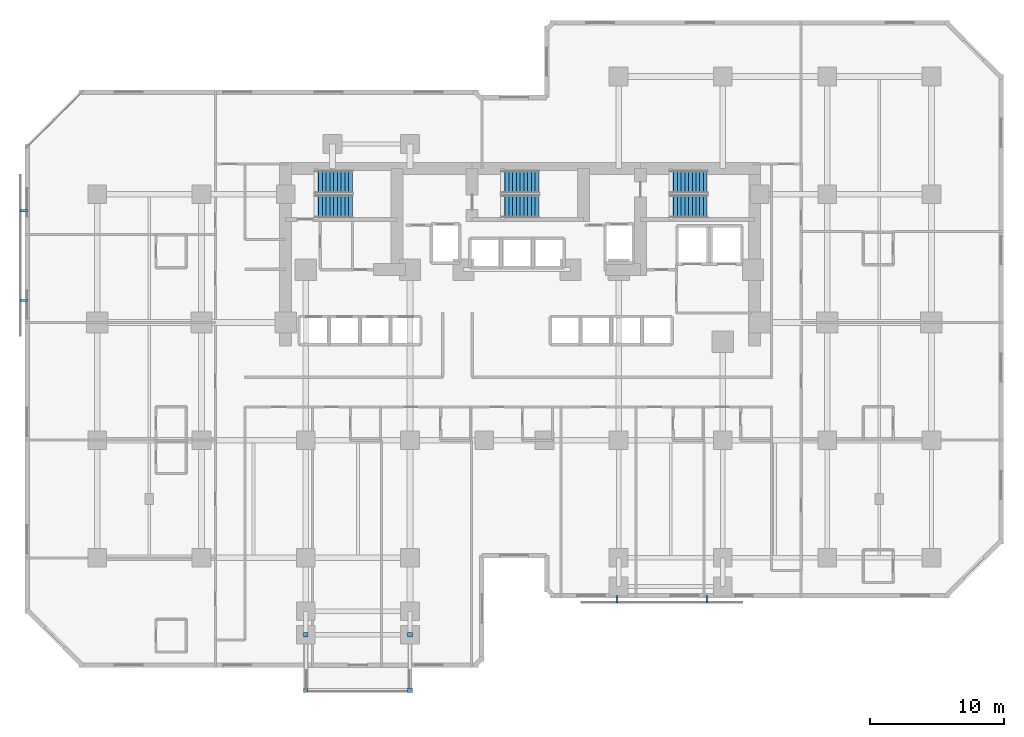
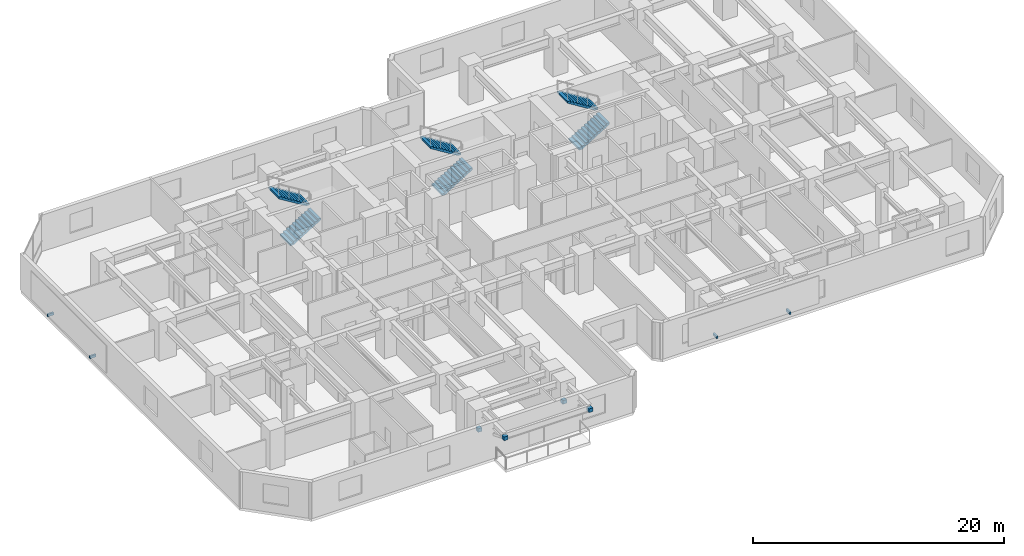
# One storey, part 10 of 12: 8 discrete accessories, 6 stair flights, 3 elements without a shape of their own.
"""IFC4 building model written with IfcOpenShell, lengths in metres."""

from ifc_helpers import new_model, si_unit, direction, frame, origin, origin_2d, place, context, subcontext, project, spatial, polyline, rectangle, outline, extrude, material, type_object, element, aggregate, save


model = new_model("IFC4")

# Units and contexts
model_context = context("Model", 3, precision=1e-05, world=origin(), true_north=direction((0.0, 1.0)))
body_context = subcontext(model_context, "Body", "Model", "MODEL_VIEW")
ifc_project = project(units=[si_unit("LENGTHUNIT", "METRE"), si_unit("AREAUNIT", "SQUARE_METRE"), si_unit("VOLUMEUNIT", "CUBIC_METRE"), si_unit("PLANEANGLEUNIT", "RADIAN"), si_unit("MASSUNIT", "GRAM", prefix="KILO")], contexts=[model_context])

# Site, building, storey
site_placement = place(None, origin())
site = spatial("IfcSite", under=ifc_project, at=site_placement, CompositionType="ELEMENT")
building_placement = place(site_placement, origin())
building = spatial("IfcBuilding", under=site, at=building_placement, Name="Kestravale Grand Hotel", CompositionType="ELEMENT")
storey_placement = place(building_placement, frame((0.0, 0.0, 33.60009765625)))
storey = spatial("IfcBuildingStorey", under=building, at=storey_placement, Name="L07", CompositionType="ELEMENT", Elevation=33.60009765625)

# Stair, stair flights
ifc_material_1 = material(Name="Concrete f'c 45 MPa", Category="concrete")
stair_type = type_object("IfcStairType", Name="ST-CORE-380", PredefinedType="HALF_TURN_STAIR", material=ifc_material_1)
stair_1_placement = place(storey_placement, origin())
stair_1 = element("IfcStair", 1, at=stair_1_placement, inside=storey, type_object=stair_type, Name="L07 ST-1", PredefinedType="HALF_TURN_STAIR")
ifc_material_2 = material(Name="Concrete f'c 45 MPa", Category="concrete")
stair_flight_type = type_object("IfcStairFlightType", Name="STF-CORE-380", PredefinedType="STRAIGHT", material=ifc_material_2)
stair_flight_1_placement = place(storey_placement, frame((24.080078125, 37.489990234375, 0.0), z_axis=(0.0, 0.0, 1.0), x_axis=(1.0, 0.0, 0.0)))
stair_flight_1 = element("IfcStairFlight", 2, at=stair_flight_1_placement, type_object=stair_flight_type, Name="ST-1 flight 1", NumberOfRisers=11, NumberOfTreads=10, PredefinedType="STRAIGHT", RiserHeight=0.172727273, TreadLength=0.28, context=body_context, shape_type="SweptSolid", body=[
    extrude(outline(polyline([(0.0, 0.0), (0.0, 0.172607421875), (0.280029296875, 0.172607421875), (0.280029296875, 0.345458984375), (0.56005859375, 0.345458984375), (0.56005859375, 0.51806640625), (0.840087890625, 0.51806640625), (0.840087890625, 0.69091796875), (1.1201171875, 0.69091796875), (1.1201171875, 0.863525390625), (1.39990234375, 0.863525390625), (1.39990234375, 1.036376953125), (1.679931640625, 1.036376953125), (1.679931640625, 1.208984375), (1.9599609375, 1.208984375), (1.9599609375, 1.3818359375), (2.239990234375, 1.3818359375), (2.239990234375, 1.554443359375), (2.52001953125, 1.554443359375), (2.52001953125, 1.727294921875), (2.800048828125, 1.727294921875), (2.800048828125, 1.89990234375), (2.800048828125, 1.551025390625), (0.285400390625, 0.0), (0.0, 0.0)])), frame((0.0, 0.83984375, 0.0), z_axis=(0.0, -1.0, 0.0), x_axis=(1.0, 0.0, 0.0)), (0.0, 0.0, 1.0), 1.679931640625),
])
stair_flight_2_placement = place(storey_placement, frame((26.8798828125, 39.320068359375, 1.89990234375), z_axis=(0.0, 0.0, 1.0), x_axis=(-1.0, 0.0, 0.0)))
stair_flight_2 = element("IfcStairFlight", 3, at=stair_flight_2_placement, type_object=stair_flight_type, Name="ST-1 flight 2", NumberOfRisers=11, NumberOfTreads=10, PredefinedType="STRAIGHT", RiserHeight=0.172727273, TreadLength=0.28, context=body_context, shape_type="SweptSolid", body=[
    extrude(outline(polyline([(0.0, 0.0), (0.0, 0.172607421875), (0.280029296875, 0.172607421875), (0.280029296875, 0.345458984375), (0.56005859375, 0.345458984375), (0.56005859375, 0.51806640625), (0.840087890625, 0.51806640625), (0.840087890625, 0.69091796875), (1.1201171875, 0.69091796875), (1.1201171875, 0.863525390625), (1.39990234375, 0.863525390625), (1.39990234375, 1.036376953125), (1.679931640625, 1.036376953125), (1.679931640625, 1.208984375), (1.9599609375, 1.208984375), (1.9599609375, 1.3818359375), (2.239990234375, 1.3818359375), (2.239990234375, 1.554443359375), (2.52001953125, 1.554443359375), (2.52001953125, 1.727294921875), (2.800048828125, 1.727294921875), (2.800048828125, 1.89990234375), (2.800048828125, 1.551025390625), (0.285400390625, 0.0), (0.0, 0.0)])), frame((0.0, 0.83984375, 0.0), z_axis=(0.0, -1.0, 0.0), x_axis=(1.0, 0.0, 0.0)), (0.0, 0.0, 1.0), 1.679931640625),
])
aggregate(stair_1, [stair_flight_1, stair_flight_2])

stair_2_placement = place(storey_placement, origin())
stair_2 = element("IfcStair", 4, at=stair_2_placement, inside=storey, type_object=stair_type, Name="L07 ST-2", PredefinedType="HALF_TURN_STAIR")
stair_flight_3_placement = place(storey_placement, frame((38.030029296875, 37.489990234375, 0.0), z_axis=(0.0, 0.0, 1.0), x_axis=(1.0, 0.0, 0.0)))
stair_flight_3 = element("IfcStairFlight", 5, at=stair_flight_3_placement, type_object=stair_flight_type, Name="ST-2 flight 1", NumberOfRisers=11, NumberOfTreads=10, PredefinedType="STRAIGHT", RiserHeight=0.172727273, TreadLength=0.28, context=body_context, shape_type="SweptSolid", body=[
    extrude(outline(polyline([(0.0, 0.0), (0.0, 0.172607421875), (0.280029296875, 0.172607421875), (0.280029296875, 0.345458984375), (0.56005859375, 0.345458984375), (0.56005859375, 0.51806640625), (0.840087890625, 0.51806640625), (0.840087890625, 0.69091796875), (1.1201171875, 0.69091796875), (1.1201171875, 0.863525390625), (1.39990234375, 0.863525390625), (1.39990234375, 1.036376953125), (1.679931640625, 1.036376953125), (1.679931640625, 1.208984375), (1.9599609375, 1.208984375), (1.9599609375, 1.3818359375), (2.239990234375, 1.3818359375), (2.239990234375, 1.554443359375), (2.52001953125, 1.554443359375), (2.52001953125, 1.727294921875), (2.800048828125, 1.727294921875), (2.800048828125, 1.89990234375), (2.800048828125, 1.551025390625), (0.285400390625, 0.0), (0.0, 0.0)])), frame((0.0, 0.83984375, 0.0), z_axis=(0.0, -1.0, 0.0), x_axis=(1.0, 0.0, 0.0)), (0.0, 0.0, 1.0), 1.679931640625),
])
stair_flight_4_placement = place(storey_placement, frame((40.830078125, 39.320068359375, 1.89990234375), z_axis=(0.0, 0.0, 1.0), x_axis=(-1.0, 0.0, 0.0)))
stair_flight_4 = element("IfcStairFlight", 6, at=stair_flight_4_placement, type_object=stair_flight_type, Name="ST-2 flight 2", NumberOfRisers=11, NumberOfTreads=10, PredefinedType="STRAIGHT", RiserHeight=0.172727273, TreadLength=0.28, context=body_context, shape_type="SweptSolid", body=[
    extrude(outline(polyline([(0.0, 0.0), (0.0, 0.172607421875), (0.280029296875, 0.172607421875), (0.280029296875, 0.345458984375), (0.56005859375, 0.345458984375), (0.56005859375, 0.51806640625), (0.840087890625, 0.51806640625), (0.840087890625, 0.69091796875), (1.1201171875, 0.69091796875), (1.1201171875, 0.863525390625), (1.39990234375, 0.863525390625), (1.39990234375, 1.036376953125), (1.679931640625, 1.036376953125), (1.679931640625, 1.208984375), (1.9599609375, 1.208984375), (1.9599609375, 1.3818359375), (2.239990234375, 1.3818359375), (2.239990234375, 1.554443359375), (2.52001953125, 1.554443359375), (2.52001953125, 1.727294921875), (2.800048828125, 1.727294921875), (2.800048828125, 1.89990234375), (2.800048828125, 1.551025390625), (0.285400390625, 0.0), (0.0, 0.0)])), frame((0.0, 0.83984375, 0.0), z_axis=(0.0, -1.0, 0.0), x_axis=(1.0, 0.0, 0.0)), (0.0, 0.0, 1.0), 1.679931640625),
])
aggregate(stair_2, [stair_flight_3, stair_flight_4])

stair_3_placement = place(storey_placement, origin())
stair_3 = element("IfcStair", 7, at=stair_3_placement, inside=storey, type_object=stair_type, Name="L07 ST-3", PredefinedType="HALF_TURN_STAIR")
stair_flight_5_placement = place(storey_placement, frame((50.6298828125, 37.489990234375, 0.0), z_axis=(0.0, 0.0, 1.0), x_axis=(1.0, 0.0, 0.0)))
stair_flight_5 = element("IfcStairFlight", 8, at=stair_flight_5_placement, type_object=stair_flight_type, Name="ST-3 flight 1", NumberOfRisers=11, NumberOfTreads=10, PredefinedType="STRAIGHT", RiserHeight=0.172727273, TreadLength=0.28, context=body_context, shape_type="SweptSolid", body=[
    extrude(outline(polyline([(0.0, 0.0), (0.0, 0.172607421875), (0.280029296875, 0.172607421875), (0.280029296875, 0.345458984375), (0.56005859375, 0.345458984375), (0.56005859375, 0.51806640625), (0.840087890625, 0.51806640625), (0.840087890625, 0.69091796875), (1.1201171875, 0.69091796875), (1.1201171875, 0.863525390625), (1.39990234375, 0.863525390625), (1.39990234375, 1.036376953125), (1.679931640625, 1.036376953125), (1.679931640625, 1.208984375), (1.9599609375, 1.208984375), (1.9599609375, 1.3818359375), (2.239990234375, 1.3818359375), (2.239990234375, 1.554443359375), (2.52001953125, 1.554443359375), (2.52001953125, 1.727294921875), (2.800048828125, 1.727294921875), (2.800048828125, 1.89990234375), (2.800048828125, 1.551025390625), (0.285400390625, 0.0), (0.0, 0.0)])), frame((0.0, 0.83984375, 0.0), z_axis=(0.0, -1.0, 0.0), x_axis=(1.0, 0.0, 0.0)), (0.0, 0.0, 1.0), 1.679931640625),
])
stair_flight_6_placement = place(storey_placement, frame((53.429931640625, 39.320068359375, 1.89990234375), z_axis=(0.0, 0.0, 1.0), x_axis=(-1.0, 0.0, 0.0)))
stair_flight_6 = element("IfcStairFlight", 9, at=stair_flight_6_placement, type_object=stair_flight_type, Name="ST-3 flight 2", NumberOfRisers=11, NumberOfTreads=10, PredefinedType="STRAIGHT", RiserHeight=0.172727273, TreadLength=0.28, context=body_context, shape_type="SweptSolid", body=[
    extrude(outline(polyline([(0.0, 0.0), (0.0, 0.172607421875), (0.280029296875, 0.172607421875), (0.280029296875, 0.345458984375), (0.56005859375, 0.345458984375), (0.56005859375, 0.51806640625), (0.840087890625, 0.51806640625), (0.840087890625, 0.69091796875), (1.1201171875, 0.69091796875), (1.1201171875, 0.863525390625), (1.39990234375, 0.863525390625), (1.39990234375, 1.036376953125), (1.679931640625, 1.036376953125), (1.679931640625, 1.208984375), (1.9599609375, 1.208984375), (1.9599609375, 1.3818359375), (2.239990234375, 1.3818359375), (2.239990234375, 1.554443359375), (2.52001953125, 1.554443359375), (2.52001953125, 1.727294921875), (2.800048828125, 1.727294921875), (2.800048828125, 1.89990234375), (2.800048828125, 1.551025390625), (0.285400390625, 0.0), (0.0, 0.0)])), frame((0.0, 0.83984375, 0.0), z_axis=(0.0, -1.0, 0.0), x_axis=(1.0, 0.0, 0.0)), (0.0, 0.0, 1.0), 1.679931640625),
])
aggregate(stair_3, [stair_flight_5, stair_flight_6])

# Discrete accessories
ifc_material_3 = material(Name="Steel ASTM A572 Grade 50 hot-dip galvanised bracket", Category="steel")
discrete_accessory_type = type_object("IfcDiscreteAccessoryType", Name="ACC-BRK-STL", PredefinedType="BRACKET", material=ifc_material_3)
for number, where, z_axis, x_axis, name in (
    (10, (23.39990234375, 5.449951171875, 1.19384765625), (0.0, 0.0, 1.0), (1.0, 0.0, 0.0), "L08 terrace strut column bracket 1"),
    (11, (23.39990234375, 1.300048828125, 2.89404296875), (0.0, 0.0, 1.0), (1.0, 0.0, 0.0), "L08 terrace strut beam bracket 1"),
    (12, (31.199951171875, 5.449951171875, 1.19384765625), (0.0, 0.0, 1.0), (1.0, 0.0, 0.0), "L08 terrace strut column bracket 2"),
    (13, (31.199951171875, 1.300048828125, 2.89404296875), (0.0, 0.0, 1.0), (1.0, 0.0, 0.0), "L08 terrace strut beam bracket 2"),
):
    element("IfcDiscreteAccessory", number, at=place(storey_placement, frame(where, z_axis=z_axis, x_axis=x_axis)), inside=storey, type_object=discrete_accessory_type, Name=name, PredefinedType="BRACKET", context=body_context, shape_type="SweptSolid", body=[
        extrude(rectangle(XDim=0.360107421875, YDim=0.360107421875, at=origin_2d()), origin(), (0.0, 0.0, 1.0), 0.360107421875),
    ])
for number, where, z_axis, x_axis, name in (
    (14, (46.68994140625, 8.10498046875, 0.56005859375), (0.0, 0.0, 1.0), (1.0, 0.0, 0.0), "L07 solar screen standoff bracket 1"),
    (15, (53.409912109375, 8.10498046875, 0.56005859375), (0.0, 0.0, 1.0), (1.0, 0.0, 0.0), "L07 solar screen standoff bracket 2"),
    (16, (2.304931640625, 37.159912109375, 0.56005859375), (0.0, 0.0, 1.0), (0.0, -1.0, 0.0), "L07 solar screen standoff bracket 1"),
    (17, (2.304931640625, 30.43994140625, 0.56005859375), (0.0, 0.0, 1.0), (0.0, -1.0, 0.0), "L07 solar screen standoff bracket 2"),
):
    element("IfcDiscreteAccessory", number, at=place(storey_placement, frame(where, z_axis=z_axis, x_axis=x_axis)), inside=storey, type_object=discrete_accessory_type, Name=name, PredefinedType="BRACKET", context=body_context, shape_type="SweptSolid", body=[
        extrude(rectangle(XDim=0.159912109375, YDim=0.56005859375, at=origin_2d()), origin(), (0.0, 0.0, 1.0), 0.239990234375),
    ])

save(model, "model.ifc")
